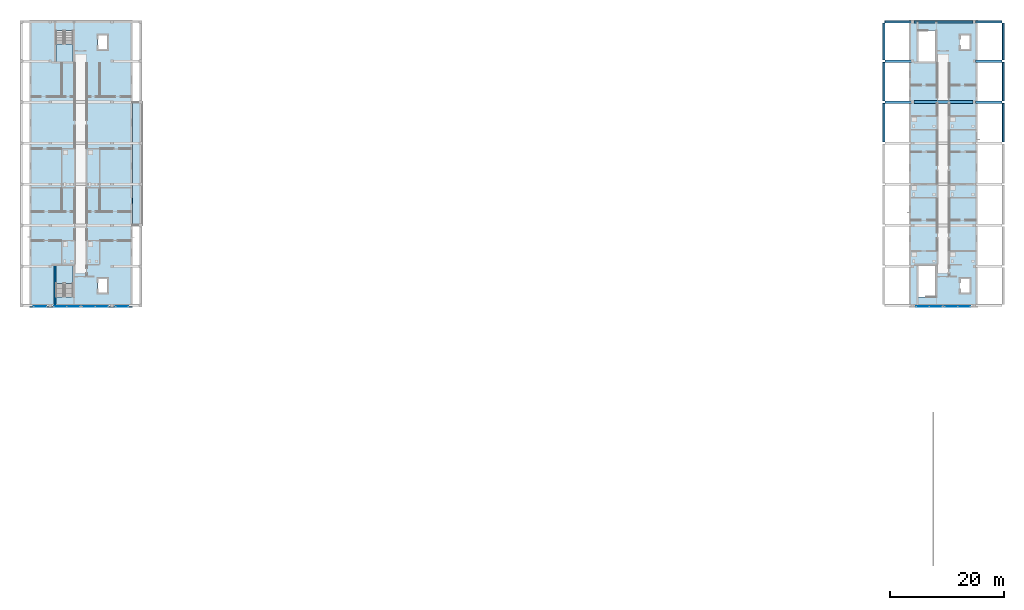
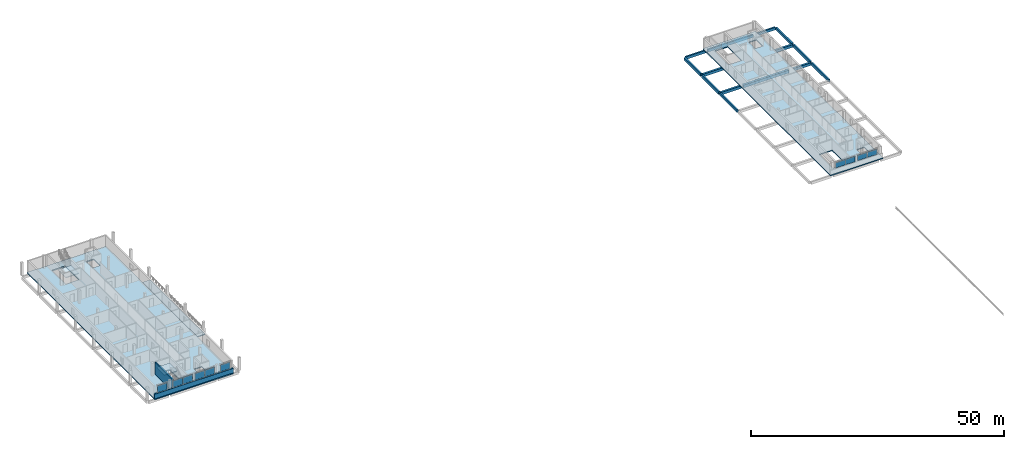
# One storey, part 4 of 16: 14 beams, 10 plates, 5 slabs, 2 walls, 8 elements without a shape of their own.
"""IFC4 building model written with IfcOpenShell, lengths in metres."""

from ifc_helpers import new_model, si_unit, derived_unit, direction, frame, frame_2d, origin, origin_2d, place, context, subcontext, project, spatial, polyline, rectangle, outline, extrude, material, layer, layer_set, material_profile, profile_set, type_object, element, aggregate, save


model = new_model("IFC4")

# Units and contexts
model_context = context("Model", 3, precision=1e-05, world=origin(), true_north=direction((0.0, 1.0)))
body_context = subcontext(model_context, "Body", "Model", "MODEL_VIEW")
ifc_project = project(units=[si_unit("LENGTHUNIT", "METRE"), si_unit("AREAUNIT", "SQUARE_METRE"), si_unit("VOLUMEUNIT", "CUBIC_METRE"), si_unit("PLANEANGLEUNIT", "RADIAN"), si_unit("MASSUNIT", "GRAM", prefix="KILO"), derived_unit("THERMALTRANSMITTANCEUNIT", [(si_unit("MASSUNIT", "GRAM", prefix="KILO"), 1), (si_unit("TIMEUNIT", "SECOND"), -3), (si_unit("THERMODYNAMICTEMPERATUREUNIT", "KELVIN"), -1)])], contexts=[model_context])

# Site, building, storey
site_placement = place(None, origin())
site = spatial("IfcSite", under=ifc_project, at=site_placement, CompositionType="ELEMENT")
building_placement = place(site_placement, origin())
building = spatial("IfcBuilding", under=site, at=building_placement, Name="Ochrekiln Boulevard Commons", CompositionType="ELEMENT")
storey_placement = place(building_placement, frame((0.0, 0.0, 40.425048828125)))
storey = spatial("IfcBuildingStorey", under=building, at=storey_placement, Name="L12", CompositionType="ELEMENT", Elevation=40.425048828125)

# Beams
ifc_material_1 = material(Name="Concrete C35/45", Category="concrete")
ifc_material_profile_1 = material_profile(ifc_material_1, rectangle(XDim=0.449951171875, YDim=0.64990234375, at=origin_2d()), Name="RC-BM-450x650")
ifc_profile_set_1 = profile_set([ifc_material_profile_1], Name="Concrete C35/45")
beam_type_1 = type_object("IfcBeamType", Name="BM-RC-450x650", PredefinedType="BEAM", material=ifc_profile_set_1)
for number, where, z_axis, x_axis, name in (
    (1, (151.760009765625, 104.39990234375, -0.574951171875), (1.0, 0.0, 0.0), (0.0, 1.0, 0.0), "Block B L12 Beam B-4565 X15"),
    (2, (167.610107421875, 104.39990234375, -0.574951171875), (1.0, 0.0, 0.0), (0.0, 1.0, 0.0), "Block B L12 Beam B-4565 X17"),
    (3, (151.760009765625, 111.60009765625, -0.574951171875), (1.0, 0.0, 0.0), (0.0, 1.0, 0.0), "Block B L12 Beam B-4565 X18"),
    (4, (167.610107421875, 111.60009765625, -0.574951171875), (1.0, 0.0, 0.0), (0.0, 1.0, 0.0), "Block B L12 Beam B-4565 X19"),
):
    element("IfcBeam", number, at=place(storey_placement, frame(where, z_axis=z_axis, x_axis=x_axis)), inside=storey, type_object=beam_type_1, Name=name, PredefinedType="BEAM", context=body_context, shape_type="SweptSolid", body=[
        extrude(rectangle(XDim=0.449951171875, YDim=0.64990234375, at=origin_2d()), origin(), (0.0, 0.0, 1.0), 4.6298828125),
    ])
ifc_material_2 = material(Name="Concrete C40/50", Category="concrete")
ifc_material_profile_2 = material_profile(ifc_material_2, rectangle(XDim=0.5, YDim=0.699951171875, at=origin_2d()), Name="RC-BM-500x700")
ifc_profile_set_2 = profile_set([ifc_material_profile_2], Name="Concrete C40/50")
beam_type_2 = type_object("IfcBeamType", Name="BM-RC-500x700", PredefinedType="BEAM", material=ifc_profile_set_2)
beam_1_placement = place(storey_placement, frame((156.81005859375, 104.39990234375, -0.60009765625), z_axis=(1.0, 0.0, 0.0), x_axis=(0.0, 1.0, 0.0)))
element("IfcBeam", 5, at=beam_1_placement, inside=storey, type_object=beam_type_2, Name="Block B L12 Beam B-5070 X16", PredefinedType="BEAM", context=body_context, shape_type="SweptSolid", body=[
    extrude(rectangle(XDim=0.5, YDim=0.699951171875, at=origin_2d()), origin(), (0.0, 0.0, 1.0), 10.3798828125),
])
ifc_material_profile_3 = material_profile(ifc_material_2, rectangle(XDim=0.35009765625, YDim=0.64990234375, at=origin_2d()), Name="RC-SPN-350x650")
ifc_profile_set_3 = profile_set([ifc_material_profile_3], Name="Concrete C40/50")
beam_type_3 = type_object("IfcBeamType", Name="SPN-RC-350x650", PredefinedType="SPANDREL", material=ifc_profile_set_3)
beam_2_placement = place(storey_placement, frame((151.760009765625, 118.449951171875, -0.574951171875), z_axis=(1.0, 0.0, 0.0), x_axis=(0.0, 1.0, 0.0)))
element("IfcBeam", 6, at=beam_2_placement, inside=storey, type_object=beam_type_3, Name="Block B L12 Beam SP-3565 X20", PredefinedType="SPANDREL", context=body_context, shape_type="SweptSolid", body=[
    extrude(rectangle(XDim=0.35009765625, YDim=0.64990234375, at=origin_2d()), origin(), (0.0, 0.0, 1.0), 4.6298828125),
])
beam_3_placement = place(storey_placement, frame((156.81005859375, 118.449951171875, -0.574951171875), z_axis=(1.0, 0.0, 0.0), x_axis=(0.0, 1.0, 0.0)))
element("IfcBeam", 7, at=beam_3_placement, inside=storey, type_object=beam_type_3, Name="Block B L12 Beam SP-3565 X21", PredefinedType="SPANDREL", context=body_context, shape_type="SweptSolid", body=[
    extrude(rectangle(XDim=0.35009765625, YDim=0.64990234375, at=origin_2d()), origin(), (0.0, 0.0, 1.0), 10.3798828125),
])
beam_4_placement = place(storey_placement, frame((167.610107421875, 118.449951171875, -0.574951171875), z_axis=(1.0, 0.0, 0.0), x_axis=(0.0, 1.0, 0.0)))
element("IfcBeam", 8, at=beam_4_placement, inside=storey, type_object=beam_type_3, Name="Block B L12 Beam SP-3565 X22", PredefinedType="SPANDREL", context=body_context, shape_type="SweptSolid", body=[
    extrude(rectangle(XDim=0.35009765625, YDim=0.64990234375, at=origin_2d()), origin(), (0.0, 0.0, 1.0), 4.6298828125),
])
beam_5_placement = place(storey_placement, frame((151.550048828125, 97.409912109375, -0.574951171875), z_axis=(0.0, 1.0, 0.0), x_axis=(-1.0, 0.0, 0.0)))
element("IfcBeam", 9, at=beam_5_placement, inside=storey, type_object=beam_type_3, Name="Block B L12 Beam SP-3565 Y27", PredefinedType="SPANDREL", context=body_context, shape_type="SweptSolid", body=[
    extrude(rectangle(XDim=0.35009765625, YDim=0.64990234375, at=origin_2d()), origin(), (0.0, 0.0, 1.0), 6.780029296875),
])
beam_6_placement = place(storey_placement, frame((151.550048828125, 104.610107421875, -0.574951171875), z_axis=(0.0, 1.0, 0.0), x_axis=(-1.0, 0.0, 0.0)))
element("IfcBeam", 10, at=beam_6_placement, inside=storey, type_object=beam_type_3, Name="Block B L12 Beam SP-3565 Y28", PredefinedType="SPANDREL", context=body_context, shape_type="SweptSolid", body=[
    extrude(rectangle(XDim=0.35009765625, YDim=0.64990234375, at=origin_2d()), origin(), (0.0, 0.0, 1.0), 6.77978515625),
])
beam_7_placement = place(storey_placement, frame((151.550048828125, 111.81005859375, -0.574951171875), z_axis=(0.0, 1.0, 0.0), x_axis=(-1.0, 0.0, 0.0)))
element("IfcBeam", 11, at=beam_7_placement, inside=storey, type_object=beam_type_3, Name="Block B L12 Beam SP-3565 Y29", PredefinedType="SPANDREL", context=body_context, shape_type="SweptSolid", body=[
    extrude(rectangle(XDim=0.35009765625, YDim=0.64990234375, at=origin_2d()), origin(), (0.0, 0.0, 1.0), 6.429931640625),
])
beam_8_placement = place(storey_placement, frame((172.449951171875, 97.409912109375, -0.574951171875), z_axis=(0.0, 1.0, 0.0), x_axis=(-1.0, 0.0, 0.0)))
element("IfcBeam", 12, at=beam_8_placement, inside=storey, type_object=beam_type_3, Name="Block B L12 Beam SP-3565 Y34", PredefinedType="SPANDREL", context=body_context, shape_type="SweptSolid", body=[
    extrude(rectangle(XDim=0.35009765625, YDim=0.64990234375, at=origin_2d()), origin(), (0.0, 0.0, 1.0), 6.780029296875),
])
beam_9_placement = place(storey_placement, frame((172.449951171875, 104.610107421875, -0.574951171875), z_axis=(0.0, 1.0, 0.0), x_axis=(-1.0, 0.0, 0.0)))
element("IfcBeam", 13, at=beam_9_placement, inside=storey, type_object=beam_type_3, Name="Block B L12 Beam SP-3565 Y35", PredefinedType="SPANDREL", context=body_context, shape_type="SweptSolid", body=[
    extrude(rectangle(XDim=0.35009765625, YDim=0.64990234375, at=origin_2d()), origin(), (0.0, 0.0, 1.0), 6.77978515625),
])
beam_10_placement = place(storey_placement, frame((172.449951171875, 111.81005859375, -0.574951171875), z_axis=(0.0, 1.0, 0.0), x_axis=(-1.0, 0.0, 0.0)))
element("IfcBeam", 14, at=beam_10_placement, inside=storey, type_object=beam_type_3, Name="Block B L12 Beam SP-3565 Y36", PredefinedType="SPANDREL", context=body_context, shape_type="SweptSolid", body=[
    extrude(rectangle(XDim=0.35009765625, YDim=0.64990234375, at=origin_2d()), origin(), (0.0, 0.0, 1.0), 6.429931640625),
])

# Curtain wall, plate
ifc_material_3 = material(Name="Bronze-anodized extruded aluminium 6063-T6", Category="aluminium")
ifc_layer_1 = layer(ifc_material_3, 0.172119140625)
ifc_layer_set_1 = layer_set([ifc_layer_1], Name="Bronze-anodized extruded aluminium 6063-T6")
curtain_wall_type_1 = type_object("IfcCurtainWallType", Name="CW-GABLE-A", PredefinedType="USERDEFINED", material=ifc_layer_set_1)
curtain_wall_1_placement = place(storey_placement, origin())
curtain_wall_1 = element("IfcCurtainWall", 15, at=curtain_wall_1_placement, inside=storey, type_object=curtain_wall_type_1, Name="Block A L12 Courtyard Glazed Gable Curtain Wall 4", ObjectType="GLAZED CURTAIN WALL", PredefinedType="USERDEFINED")
ifc_material_4 = material(Name="Spectrally selective low-E insulated glazing", Category="glass")
ifc_layer_2 = layer(ifc_material_4, 0.02392578125)
ifc_layer_set_2 = layer_set([ifc_layer_2], Name="Spectrally selective low-E insulated glazing")
plate_type_1 = type_object("IfcPlateType", Name="CWP-GLZ-1", PredefinedType="CURTAIN_PANEL", material=ifc_layer_set_2)
plate_1_placement = place(storey_placement, frame((17.985107421875, 68.56005859375, 1.175048828125), z_axis=(0.0, 0.0, 1.0), x_axis=(1.0, 0.0, 0.0)))
plate_1 = element("IfcPlate", 16, at=plate_1_placement, type_object=plate_type_1, Name="CW-01 panel 1.1", PredefinedType="CURTAIN_PANEL", context=body_context, shape_type="SweptSolid", body=[
    extrude(rectangle(XDim=2.199951171875, YDim=0.02392578125, at=origin_2d()), origin(), (0.0, 0.0, 1.0), 1.64990234375),
])
aggregate(curtain_wall_1, [plate_1])

# Curtain wall, plates
ifc_layer_3 = layer(ifc_material_3, 0.18408203125)
ifc_layer_set_3 = layer_set([ifc_layer_3], Name="Bronze-anodized extruded aluminium 6063-T6")
curtain_wall_type_2 = type_object("IfcCurtainWallType", Name="CW-GABLE-B", PredefinedType="USERDEFINED", material=ifc_layer_set_3)
curtain_wall_2_placement = place(storey_placement, origin())
curtain_wall_2 = element("IfcCurtainWall", 17, at=curtain_wall_2_placement, inside=storey, type_object=curtain_wall_type_2, Name="Block B L12 Courtyard Glazed Gable Curtain Wall 2", ObjectType="GLAZED CURTAIN WALL", PredefinedType="USERDEFINED")
plate_2_placement = place(storey_placement, frame((163.361328125, 68.570068359375, 1.1748046875), z_axis=(0.0, 0.0, 1.0), x_axis=(1.0, 0.0, 0.0)))
plate_2 = element("IfcPlate", 18, at=plate_2_placement, type_object=plate_type_1, Name="CW-02 panel 1.1", PredefinedType="CURTAIN_PANEL", context=body_context, shape_type="SweptSolid", body=[
    extrude(rectangle(XDim=2.1923828125, YDim=0.02392578125, at=origin_2d()), origin(), (0.0, 0.0, 1.0), 1.31005859375),
])
plate_3_placement = place(storey_placement, frame((165.61865234375, 68.570068359375, 1.1748046875), z_axis=(0.0, 0.0, 1.0), x_axis=(1.0, 0.0, 0.0)))
plate_3 = element("IfcPlate", 19, at=plate_3_placement, type_object=plate_type_1, Name="CW-02 panel 2.1", PredefinedType="CURTAIN_PANEL", context=body_context, shape_type="SweptSolid", body=[
    extrude(rectangle(XDim=2.1923828125, YDim=0.02392578125, at=origin_2d()), origin(), (0.0, 0.0, 1.0), 1.31005859375),
])
aggregate(curtain_wall_2, [plate_2, plate_3])

# Curtain wall, plate
curtain_wall_3_placement = place(storey_placement, origin())
curtain_wall_3 = element("IfcCurtainWall", 20, at=curtain_wall_3_placement, inside=storey, type_object=curtain_wall_type_1, Name="Block A L12 Courtyard Glazed Gable Curtain Wall 1", ObjectType="GLAZED CURTAIN WALL", PredefinedType="USERDEFINED")
ifc_layer_4 = layer(ifc_material_4, 0.030029296875)
ifc_layer_set_4 = layer_set([ifc_layer_4], Name="Spectrally selective low-E insulated glazing")
plate_type_2 = type_object("IfcPlateType", Name="CWP-GLZ-2", PredefinedType="CURTAIN_PANEL", material=ifc_layer_set_4)
plate_4_placement = place(storey_placement, frame((3.614990234375, 68.56005859375, 1.169921875), z_axis=(0.0, 0.0, 1.0), x_axis=(1.0, 0.0, 0.0)))
plate_4 = element("IfcPlate", 21, at=plate_4_placement, type_object=plate_type_2, Name="CW-01 panel 1.1", PredefinedType="CURTAIN_PANEL", context=body_context, shape_type="SweptSolid", body=[
    extrude(rectangle(XDim=2.2099609375, YDim=0.030029296875, at=origin_2d()), origin(), (0.0, 0.0, 1.0), 1.659912109375),
])
aggregate(curtain_wall_3, [plate_4])

# Curtain wall, plates
curtain_wall_4_placement = place(storey_placement, origin())
curtain_wall_4 = element("IfcCurtainWall", 22, at=curtain_wall_4_placement, inside=storey, type_object=curtain_wall_type_1, Name="Block A L12 Courtyard Glazed Gable Curtain Wall 2", ObjectType="GLAZED CURTAIN WALL", PredefinedType="USERDEFINED")
ifc_layer_5 = layer(ifc_material_4, 0.035888671875)
ifc_layer_set_5 = layer_set([ifc_layer_5], Name="Spectrally selective low-E insulated glazing")
plate_type_3 = type_object("IfcPlateType", Name="CWP-GLZ-3", PredefinedType="CURTAIN_PANEL", material=ifc_layer_set_5)
plate_5_placement = place(storey_placement, frame((7.18115234375, 68.56005859375, 1.175048828125), z_axis=(0.0, 0.0, 1.0), x_axis=(1.0, 0.0, 0.0)))
plate_5 = element("IfcPlate", 23, at=plate_5_placement, type_object=plate_type_3, Name="CW-01 panel 1.1", PredefinedType="CURTAIN_PANEL", context=body_context, shape_type="SweptSolid", body=[
    extrude(rectangle(XDim=2.1923828125, YDim=0.035888671875, at=origin_2d()), origin(), (0.0, 0.0, 1.0), 1.64990234375),
])
plate_6_placement = place(storey_placement, frame((9.438720703125, 68.56005859375, 1.175048828125), z_axis=(0.0, 0.0, 1.0), x_axis=(1.0, 0.0, 0.0)))
plate_6 = element("IfcPlate", 24, at=plate_6_placement, type_object=plate_type_3, Name="CW-01 panel 2.1", PredefinedType="CURTAIN_PANEL", context=body_context, shape_type="SweptSolid", body=[
    extrude(rectangle(XDim=2.1923828125, YDim=0.035888671875, at=origin_2d()), origin(), (0.0, 0.0, 1.0), 1.64990234375),
])
aggregate(curtain_wall_4, [plate_5, plate_6])

curtain_wall_5_placement = place(storey_placement, origin())
curtain_wall_5 = element("IfcCurtainWall", 25, at=curtain_wall_5_placement, inside=storey, type_object=curtain_wall_type_1, Name="Block A L12 Courtyard Glazed Gable Curtain Wall 3", ObjectType="GLAZED CURTAIN WALL", PredefinedType="USERDEFINED")
ifc_layer_6 = layer(ifc_material_4, 0.0419921875)
ifc_layer_set_6 = layer_set([ifc_layer_6], Name="Spectrally selective low-E insulated glazing")
plate_type_4 = type_object("IfcPlateType", Name="CWP-GLZ-4", PredefinedType="CURTAIN_PANEL", material=ifc_layer_set_6)
plate_7_placement = place(storey_placement, frame((12.159912109375, 68.56005859375, 1.169921875), z_axis=(0.0, 0.0, 1.0), x_axis=(1.0, 0.0, 0.0)))
plate_7 = element("IfcPlate", 26, at=plate_7_placement, type_object=plate_type_4, Name="CW-01 panel 1.1", PredefinedType="CURTAIN_PANEL", context=body_context, shape_type="SweptSolid", body=[
    extrude(rectangle(XDim=2.199951171875, YDim=0.0419921875, at=origin_2d()), origin(), (0.0, 0.0, 1.0), 1.659912109375),
])
plate_8_placement = place(storey_placement, frame((14.419921875, 68.56005859375, 1.169921875), z_axis=(0.0, 0.0, 1.0), x_axis=(1.0, 0.0, 0.0)))
plate_8 = element("IfcPlate", 27, at=plate_8_placement, type_object=plate_type_4, Name="CW-01 panel 2.1", PredefinedType="CURTAIN_PANEL", context=body_context, shape_type="SweptSolid", body=[
    extrude(rectangle(XDim=2.199951171875, YDim=0.0419921875, at=origin_2d()), origin(), (0.0, 0.0, 1.0), 1.659912109375),
])
aggregate(curtain_wall_5, [plate_7, plate_8])

curtain_wall_6_placement = place(storey_placement, origin())
curtain_wall_6 = element("IfcCurtainWall", 28, at=curtain_wall_6_placement, inside=storey, type_object=curtain_wall_type_2, Name="Block B L12 Courtyard Glazed Gable Curtain Wall 1", ObjectType="GLAZED CURTAIN WALL", PredefinedType="USERDEFINED")
plate_9_placement = place(storey_placement, frame((158.3798828125, 68.570068359375, 1.169921875), z_axis=(0.0, 0.0, 1.0), x_axis=(1.0, 0.0, 0.0)))
plate_9 = element("IfcPlate", 29, at=plate_9_placement, type_object=plate_type_4, Name="CW-02 panel 1.1", PredefinedType="CURTAIN_PANEL", context=body_context, shape_type="SweptSolid", body=[
    extrude(rectangle(XDim=2.199951171875, YDim=0.0419921875, at=origin_2d()), origin(), (0.0, 0.0, 1.0), 1.320068359375),
])
plate_10_placement = place(storey_placement, frame((160.639892578125, 68.570068359375, 1.169921875), z_axis=(0.0, 0.0, 1.0), x_axis=(1.0, 0.0, 0.0)))
plate_10 = element("IfcPlate", 30, at=plate_10_placement, type_object=plate_type_4, Name="CW-02 panel 2.1", PredefinedType="CURTAIN_PANEL", context=body_context, shape_type="SweptSolid", body=[
    extrude(rectangle(XDim=2.199951171875, YDim=0.0419921875, at=origin_2d()), origin(), (0.0, 0.0, 1.0), 1.320068359375),
])
aggregate(curtain_wall_6, [plate_9, plate_10])

# Slab
ifc_layer_7 = layer(ifc_material_1, 0.219970703125)
ifc_layer_set_7 = layer_set([ifc_layer_7], Name="Concrete C35/45")
slab_type_1 = type_object("IfcSlabType", Name="SLB-BAL-220", PredefinedType="FLOOR", material=ifc_layer_set_7)
slab_1_placement = place(storey_placement, frame((0.0, 0.0, -0.219970703125)))
element("IfcSlab", 31, at=slab_1_placement, inside=storey, type_object=slab_type_1, Name="Block A L12 Setback Courtyard Loggia Terrace Slab", PredefinedType="FLOOR", context=body_context, shape_type="SweptSolid", body=[
    extrude(outline(polyline([(19.800048828125, 82.800048828125), (21.60009765625, 82.800048828125), (21.60009765625, 104.39990234375), (19.800048828125, 104.39990234375), (19.800048828125, 82.800048828125)])), origin(), (0.0, 0.0, 1.0), 0.219970703125),
])

# Stair, slab
stair_type = type_object("IfcStairType", Name="STR-DL-315", PredefinedType="TWO_STRAIGHT_RUN_STAIR", material=ifc_material_1)
stair_1_placement = place(storey_placement, origin())
stair_1 = element("IfcStair", 32, at=stair_1_placement, inside=storey, type_object=stair_type, Name="L12 Enclosed Exit Stair ST-A1", PredefinedType="TWO_STRAIGHT_RUN_STAIR")
ifc_layer_8 = layer(ifc_material_1, 0.199951171875)
ifc_layer_set_8 = layer_set([ifc_layer_8], Name="Concrete C35/45")
slab_type_2 = type_object("IfcSlabType", Name="SLB-LND-200", PredefinedType="LANDING", material=ifc_layer_set_8)
slab_2_placement = place(storey_placement, frame((0.0, 0.0, 1.375)))
slab_2 = element("IfcSlab", 33, at=slab_2_placement, type_object=slab_type_2, Name="ST-A1 landing 1", PredefinedType="LANDING", context=body_context, shape_type="SweptSolid", body=[
    extrude(outline(polyline([(9.39990234375, 72.590087890625), (9.39990234375, 75.719970703125), (6.39990234375, 75.719970703125), (6.39990234375, 72.590087890625), (9.39990234375, 72.590087890625)])), origin(), (0.0, 0.0, 1.0), 0.199951171875),
])
aggregate(stair_1, [slab_2])

stair_2_placement = place(storey_placement, origin())
stair_2 = element("IfcStair", 34, at=stair_2_placement, inside=storey, type_object=stair_type, Name="L12 Enclosed Exit Stair ST-A2", PredefinedType="TWO_STRAIGHT_RUN_STAIR")
slab_3_placement = place(storey_placement, frame((0.0, 0.0, 1.375)))
slab_3 = element("IfcSlab", 35, at=slab_3_placement, type_object=slab_type_2, Name="ST-A2 landing 1", PredefinedType="LANDING", context=body_context, shape_type="SweptSolid", body=[
    extrude(outline(polyline([(6.39990234375, 114.610107421875), (6.39990234375, 111.47998046875), (9.39990234375, 111.47998046875), (9.39990234375, 114.610107421875), (6.39990234375, 114.610107421875)])), origin(), (0.0, 0.0, 1.0), 0.199951171875),
])
aggregate(stair_2, [slab_3])

# Slabs
ifc_layer_9 = layer(ifc_material_1, 0.25)
ifc_layer_set_9 = layer_set([ifc_layer_9], Name="Concrete C35/45")
slab_type_3 = type_object("IfcSlabType", Name="SLB-LOFT-250", PredefinedType="FLOOR", material=ifc_layer_set_9)
slab_4_placement = place(storey_placement, frame((0.0, 0.0, -0.25)))
element("IfcSlab", 36, at=slab_4_placement, inside=storey, type_object=slab_type_3, Name="Block A L12 Reinforced Concrete Floor Slab", PredefinedType="FLOOR", context=body_context, shape_type="SweptSolid", body=[
    extrude(outline(polyline([(1.800048828125, 68.39990234375), (19.800048828125, 68.39990234375), (19.800048828125, 118.800048828125), (1.800048828125, 118.800048828125), (1.800048828125, 68.39990234375)]), holes=[polyline([(9.39990234375, 70.2705078125), (9.39990234375, 75.719970703125), (6.39990234375, 75.719970703125), (6.39990234375, 70.2705078125), (9.39990234375, 70.2705078125)]), polyline([(6.39990234375, 116.929443359375), (6.39990234375, 111.47998046875), (9.39990234375, 111.47998046875), (9.39990234375, 116.929443359375), (6.39990234375, 116.929443359375)]), polyline([(13.75, 70.949951171875), (15.449951171875, 70.949951171875), (15.449951171875, 73.449951171875), (13.75, 73.449951171875), (13.75, 70.949951171875)]), polyline([(13.75, 113.64990234375), (15.449951171875, 113.64990234375), (15.449951171875, 116.14990234375), (13.75, 116.14990234375), (13.75, 113.64990234375)])]), origin(), (0.0, 0.0, 1.0), 0.25),
])
slab_5_placement = place(storey_placement, frame((0.0, 0.0, -0.25)))
element("IfcSlab", 37, at=slab_5_placement, inside=storey, type_object=slab_type_3, Name="Block B L12 Reinforced Concrete Floor Slab", PredefinedType="FLOOR", context=body_context, shape_type="SweptSolid", body=[
    extrude(outline(polyline([(156.0, 68.39990234375), (168.0, 68.39990234375), (168.0, 118.800048828125), (156.0, 118.800048828125), (156.0, 68.39990234375)]), holes=[polyline([(160.60009765625, 70.2705078125), (160.60009765625, 75.719970703125), (157.60009765625, 75.719970703125), (157.60009765625, 70.2705078125), (160.60009765625, 70.2705078125)]), polyline([(157.60009765625, 116.929443359375), (157.60009765625, 111.47998046875), (160.60009765625, 111.47998046875), (160.60009765625, 116.929443359375), (157.60009765625, 116.929443359375)]), polyline([(164.949951171875, 70.949951171875), (166.64990234375, 70.949951171875), (166.64990234375, 73.449951171875), (164.949951171875, 73.449951171875), (164.949951171875, 70.949951171875)]), polyline([(164.949951171875, 113.64990234375), (166.64990234375, 113.64990234375), (166.64990234375, 116.14990234375), (164.949951171875, 116.14990234375), (164.949951171875, 113.64990234375)])]), origin(), (0.0, 0.0, 1.0), 0.25),
])

# Walls
ifc_material_5 = material(Name="Desert ochre clinker brick masonry ASTM C216 Grade SW", Category="masonry")
ifc_layer_10 = layer(ifc_material_5, 0.320068359375)
ifc_layer_set_10 = layer_set([ifc_layer_10], Name="Desert ochre clinker brick masonry ASTM C216 Grade SW")
wall_type_1 = type_object("IfcWallType", Name="WL-EXT-OCHRE-320", PredefinedType="SOLIDWALL", material=ifc_layer_set_10)
wall_1_placement = place(storey_placement, frame((1.800048828125, 68.56005859375, 0.0), z_axis=(0.0, 0.0, 1.0), x_axis=(1.0, 0.0, 0.0)))
element("IfcWall", 38, at=wall_1_placement, inside=storey, type_object=wall_type_1, Name="Block A L12 Courtyard Gable Sill Wall", PredefinedType="SOLIDWALL", context=body_context, shape_type="SweptSolid", body=[
    extrude(rectangle(XDim=18.0, YDim=0.320068359375, at=frame_2d((9.0, 0.0))), origin(), (0.0, 0.0, 1.0), 1.10986328125),
])
ifc_layer_11 = layer(ifc_material_2, 0.300048828125)
ifc_layer_set_11 = layer_set([ifc_layer_11], Name="Concrete C40/50")
wall_type_2 = type_object("IfcWallType", Name="WL-SH-300", PredefinedType="SHEAR", material=ifc_layer_set_11)
wall_2_placement = place(storey_placement, frame((6.25, 68.719970703125, 0.0), z_axis=(0.0, 0.0, 1.0), x_axis=(0.0, 1.0, 0.0)))
element("IfcWall", 39, at=wall_2_placement, inside=storey, type_object=wall_type_2, Name="Stair ST-A1 L12 Core Shear Wall W", PredefinedType="SHEAR", context=body_context, shape_type="SweptSolid", body=[
    extrude(rectangle(XDim=7.0, YDim=0.300048828125, at=frame_2d((3.5, 0.0))), origin(), (0.0, 0.0, 1.0), 2.889892578125),
])

save(model, "model.ifc")
